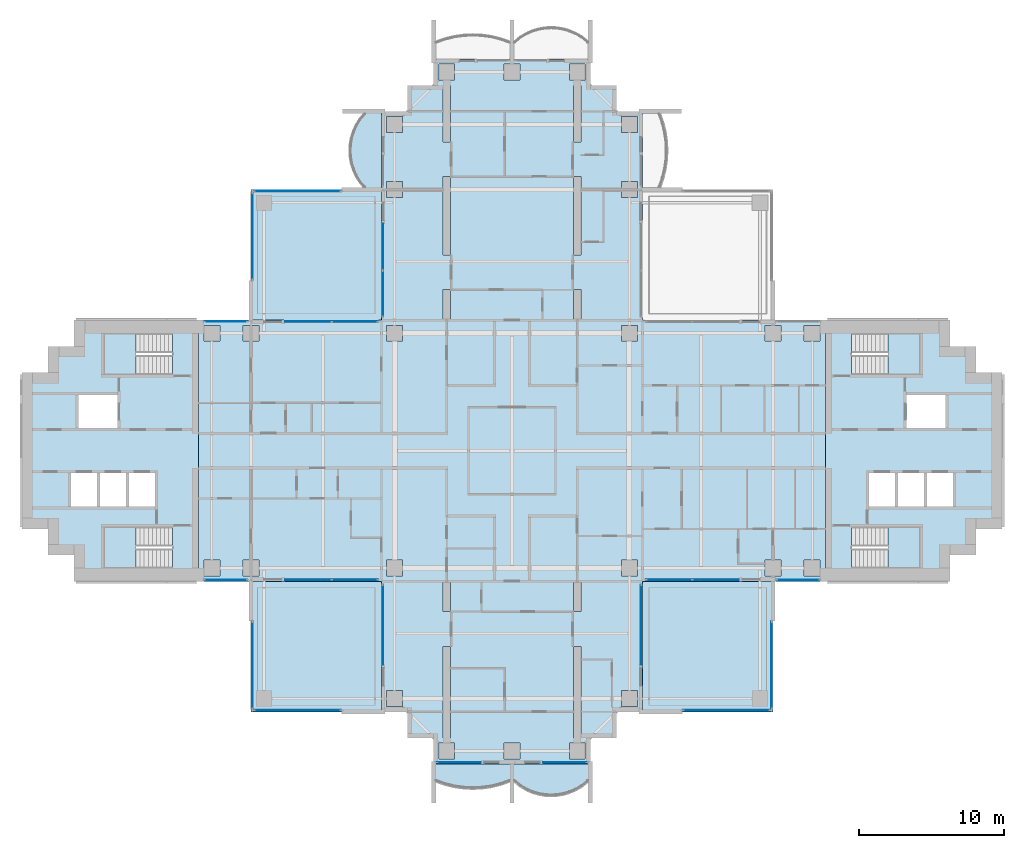
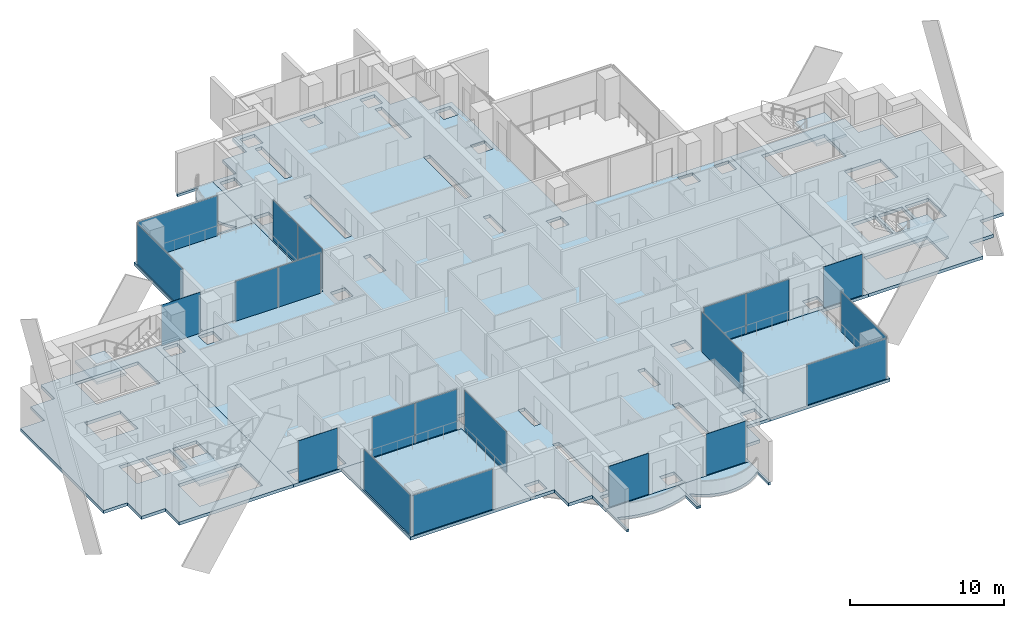
# One storey, part 7 of 19: 21 plates, 13 slabs, 21 elements without a shape of their own.
"""IFC4 building model written with IfcOpenShell, lengths in metres."""

import ifcopenshell
import ifcopenshell.guid

model = None  # the IFC model being written
_history = None  # IfcOwnerHistory: only IFC2X3 demands one
_inside = {}  # id of a spatial element -> (the spatial element, [elements in it])
_under = {}  # id of a project, library or spatial element -> (it, [spatial elements below it])
_declared = {}  # id of a project -> (the project, [libraries it declares])
_typed = {}  # id of a type object -> (the type object, [elements of that type])
_made_of = {}  # id of a material, layer set ... -> (it, [elements and type objects made of it])


def new_model(schema):
    """Start an empty IFC model of exactly this schema.

    Asked for "IFC4X3", IfcOpenShell would pick the latest addendum, in which some entities
    have other attributes; the version numbers below select the first issue.
    IFC2X3 requires an IfcOwnerHistory on every rooted entity: one is made here for all.
    """
    global model, _history
    if schema == "IFC4X3":
        model = ifcopenshell.file(schema_version=(4, 3, 0, 0))
    else:
        model = ifcopenshell.file(schema=schema)
    _inside.clear()
    _under.clear()
    _declared.clear()
    _typed.clear()
    _made_of.clear()
    _history = None
    if model.schema == "IFC2X3":
        org = make("IfcOrganization", Name="unknown")
        user = make(
            "IfcPersonAndOrganization",
            ThePerson=make("IfcPerson", FamilyName="unknown"),
            TheOrganization=org,
        )
        app = make(
            "IfcApplication",
            ApplicationDeveloper=org,
            Version="unknown",
            ApplicationFullName="unknown",
            ApplicationIdentifier="unknown",
        )
        _history = make(
            "IfcOwnerHistory",
            OwningUser=user,
            OwningApplication=app,
            ChangeAction="ADDED",
            CreationDate=0,
        )
    return model


def make(cls, **values):
    """One entity of the class cls with the attributes given. An attribute that is None is left unset."""
    return model.create_entity(
        cls, **{name: value for name, value in values.items() if value is not None}
    )


def rooted(cls, **values):
    """An entity with a GlobalId (a new one), such as an element, a storey or a relation."""
    return make(cls, GlobalId=ifcopenshell.guid.new(), OwnerHistory=_history, **values)


def si_unit(unit_type, name, prefix=None):
    """IfcSIUnit, for example si_unit("LENGTHUNIT", "METRE", prefix="MILLI")."""
    return make("IfcSIUnit", UnitType=unit_type, Prefix=prefix, Name=name)


def assignment(units):
    """IfcUnitAssignment: the units of a project."""
    return None if units is None else make("IfcUnitAssignment", Units=units)


def point(xyz):
    """IfcCartesianPoint."""
    return None if xyz is None else make("IfcCartesianPoint", Coordinates=xyz)


def direction(xyz):
    """IfcDirection."""
    return None if xyz is None else make("IfcDirection", DirectionRatios=xyz)


def frame(location, z_axis=None, x_axis=None):
    """IfcAxis2Placement3D, a coordinate frame: its origin and axes. An axis left out is left unset."""
    return make(
        "IfcAxis2Placement3D",
        Location=point(location),
        Axis=direction(z_axis),
        RefDirection=direction(x_axis),
    )


def frame_2d(location, x_axis=None):
    """IfcAxis2Placement2D, a coordinate frame in the plane: its origin and x axis."""
    return make(
        "IfcAxis2Placement2D", Location=point(location), RefDirection=direction(x_axis)
    )


def origin():
    """The frame at (0, 0, 0) with its axes left unset."""
    return frame((0.0, 0.0, 0.0))


def origin_2d():
    """The frame at (0, 0) in the plane with its x axis left unset."""
    return frame_2d((0.0, 0.0))


def place(relative_to, where):
    """IfcLocalPlacement: puts the frame where relative to a parent placement (None: the world)."""
    return make(
        "IfcLocalPlacement", PlacementRelTo=relative_to, RelativePlacement=where
    )


def context(
    kind, dimensions, precision=None, world=None, true_north=None, identifier=None
):
    """IfcGeometricRepresentationContext, for example the 3D "Model" context."""
    return make(
        "IfcGeometricRepresentationContext",
        ContextIdentifier=identifier,
        ContextType=kind,
        CoordinateSpaceDimension=dimensions,
        Precision=precision,
        WorldCoordinateSystem=world,
        TrueNorth=true_north,
    )


def subcontext(parent, identifier, kind, view, scale=None):
    """IfcGeometricRepresentationSubContext, for example "Body" below "Model"."""
    return make(
        "IfcGeometricRepresentationSubContext",
        ContextIdentifier=identifier,
        ContextType=kind,
        ParentContext=parent,
        TargetScale=scale,
        TargetView=view,
    )


def project(units=None, contexts=None):
    """IfcProject with its units and contexts."""
    return rooted(
        "IfcProject",
        Name="project",
        RepresentationContexts=contexts,
        UnitsInContext=assignment(units),
    )


def spatial(cls, under=None, at=None, **own):
    """A site, building, storey or space (cls), placed at a placement, below another one or the project."""
    s = rooted(cls, ObjectPlacement=at, **own)
    if under is not None:
        _under.setdefault(under.id(), (under, []))[1].append(s)
    return s


def polyline(points):
    """IfcPolyline through the points."""
    return make("IfcPolyline", Points=[point(p) for p in points])


def profile(cls, at=None, kind="AREA", **sizes):
    """A parametric profile (cls). Its sizes go by their IFC names, for example OverallWidth=200.0."""
    return make(cls, ProfileType=kind, Position=at, **sizes)


def rectangle(**sizes):
    """IfcRectangleProfileDef."""
    return profile("IfcRectangleProfileDef", **sizes)


def outline(outer, holes=None, kind="AREA"):
    """IfcArbitraryClosedProfileDef: a profile drawn as a closed curve; with holes, ...WithVoids."""
    if holes is None:
        return make("IfcArbitraryClosedProfileDef", ProfileType=kind, OuterCurve=outer)
    return make(
        "IfcArbitraryProfileDefWithVoids",
        ProfileType=kind,
        OuterCurve=outer,
        InnerCurves=holes,
    )


def extrude(swept, where, along, depth):
    """IfcExtrudedAreaSolid: the profile swept, set in the frame where, extruded along a direction by depth."""
    return make(
        "IfcExtrudedAreaSolid",
        SweptArea=swept,
        Position=where,
        ExtrudedDirection=direction(along),
        Depth=depth,
    )


def shape(context_of_items, identifier, shape_type, items):
    """IfcShapeRepresentation: the items that make up one representation, for example the "Body"."""
    return make(
        "IfcShapeRepresentation",
        ContextOfItems=context_of_items,
        RepresentationIdentifier=identifier,
        RepresentationType=shape_type,
        Items=items,
    )


def material(Name=None, Category=None):
    """IfcMaterial."""
    return make("IfcMaterial", Name=Name, Category=Category)


def layer(
    of_material, thickness, ventilated=None, Name=None, Category=None, Priority=None
):
    """IfcMaterialLayer: one layer of a wall or slab, of a material (None: an air gap)."""
    return make(
        "IfcMaterialLayer",
        Material=of_material,
        LayerThickness=thickness,
        IsVentilated=ventilated,
        Name=Name,
        Category=Category,
        Priority=Priority,
    )


def layer_set(layers, Name=None):
    """IfcMaterialLayerSet."""
    return make("IfcMaterialLayerSet", MaterialLayers=layers, LayerSetName=Name)


def made_of(thing, what):
    """Note that an element or type object is made of a material, layer set ...; save() writes the relation."""
    if what is not None:
        _made_of.setdefault(what.id(), (what, []))[1].append(thing)
    return thing


def type_object(cls, material=None, **own):
    """A type object (cls), such as IfcWallType, which elements share."""
    return made_of(rooted(cls, **own), material)


def element(
    cls,
    number,
    at=None,
    inside=None,
    cuts=None,
    type_object=None,
    material=None,
    context=None,
    identifier="Body",
    shape_type=None,
    held_by="IfcProductDefinitionShape",
    body=None,
    shapes=None,
    **own,
):
    """One element of the class cls, such as IfcWall. Its Tag is "e" and its number.

    at: its placement. inside: the storey or other place that contains it. cuts: it is an
    opening in that element (IfcRelVoidsElement). A single representation is given by context,
    identifier, shape_type and body (its items); several are given by shapes. held_by: the class
    of the entity that holds the representations. save() writes the other relations.
    """
    e = rooted(cls, Tag="e%d" % number, ObjectPlacement=at, **own)
    if body is not None:
        shapes = [shape(context, identifier, shape_type, body)]
    if shapes is not None:
        e.Representation = make(held_by, Representations=shapes)
    if inside is not None:
        _inside.setdefault(inside.id(), (inside, []))[1].append(e)
    if cuts is not None:
        rooted(
            "IfcRelVoidsElement", RelatingBuildingElement=cuts, RelatedOpeningElement=e
        )
    if type_object is not None:
        _typed.setdefault(type_object.id(), (type_object, []))[1].append(e)
    return made_of(e, material)


def aggregate(whole, parts):
    """IfcRelAggregates: a whole, such as a stair, and the parts it consists of."""
    return rooted("IfcRelAggregates", RelatingObject=whole, RelatedObjects=parts)


def save(model, path):
    """Write the relations noted so far, then the file.

    IfcRelAggregates (storeys below a building ...), IfcRelContainedInSpatialStructure (elements
    in a storey), IfcRelDefinesByType, IfcRelAssociatesMaterial and IfcRelDeclares: one each for
    every whole, place, type object, material and project.
    """
    for whole, parts in _under.values():
        aggregate(whole, parts)
    for where, things in _inside.values():
        rooted(
            "IfcRelContainedInSpatialStructure",
            RelatedElements=things,
            RelatingStructure=where,
        )
    for kind, things in _typed.values():
        rooted("IfcRelDefinesByType", RelatedObjects=things, RelatingType=kind)
    for what, things in _made_of.values():
        rooted("IfcRelAssociatesMaterial", RelatedObjects=things, RelatingMaterial=what)
    for by, libraries in _declared.values():
        rooted("IfcRelDeclares", RelatingContext=by, RelatedDefinitions=libraries)
    model.write(path)


model = new_model("IFC4")

# Units and contexts
model_context = context("Model", 3, precision=1e-05, world=origin(), true_north=direction((0.0, 1.0)))
body_context = subcontext(model_context, "Body", "Model", "MODEL_VIEW")
ifc_project = project(units=[si_unit("LENGTHUNIT", "METRE"), si_unit("AREAUNIT", "SQUARE_METRE"), si_unit("VOLUMEUNIT", "CUBIC_METRE"), si_unit("PLANEANGLEUNIT", "RADIAN"), si_unit("MASSUNIT", "GRAM", prefix="KILO")], contexts=[model_context])

# Site, building, storey
site_placement = place(None, origin())
site = spatial("IfcSite", under=ifc_project, at=site_placement, CompositionType="ELEMENT")
building_placement = place(site_placement, origin())
building = spatial("IfcBuilding", under=site, at=building_placement, Name="Perihelion Cross Residences", CompositionType="ELEMENT")
storey_placement = place(building_placement, frame((0.0, 0.0, 116.39990234375)))
storey = spatial("IfcBuildingStorey", under=building, at=storey_placement, Name="L27", CompositionType="ELEMENT", Elevation=116.39990234375)

# Slabs
ifc_material_1 = material(Name="Concrete C40/50", Category="concrete")
ifc_layer_1 = layer(ifc_material_1, 0.199951171875)
ifc_layer_set_1 = layer_set([ifc_layer_1], Name="Balcony slab 200")
slab_type_1 = type_object("IfcSlabType", Name="Balcony slab 200", PredefinedType="FLOOR", material=ifc_layer_set_1)
slab_1_placement = place(storey_placement, frame((0.0, 0.0, -0.199951171875)))
element("IfcSlab", 1, at=slab_1_placement, inside=storey, type_object=slab_type_1, Name="Slab BK1 L27 north side west bay 1 balcony", PredefinedType="FLOOR", context=body_context, shape_type="SweptSolid", body=[
    extrude(outline(polyline([(-9.0, 23.39990234375), (-9.0, 18.0), (-11.699951171875, 18.0), (-11.699951171875, 18.14990234375), (-10.199951171875, 18.14990234375), (-10.5400390625, 18.574951171875), (-10.792724609375, 19.0), (-10.9765625, 19.425048828125), (-11.1025390625, 19.85009765625), (-11.17578125, 20.27490234375), (-11.199951171875, 20.699951171875), (-11.17578125, 21.125), (-11.1025390625, 21.550048828125), (-10.9765625, 21.97509765625), (-10.792724609375, 22.39990234375), (-10.5400390625, 22.824951171875), (-10.199951171875, 23.25), (-11.699951171875, 23.25), (-11.699951171875, 23.39990234375), (-9.0, 23.39990234375)])), origin(), (0.0, 0.0, 1.0), 0.199951171875),
])
slab_2_placement = place(storey_placement, frame((0.0, 0.0, -0.199951171875)))
element("IfcSlab", 2, at=slab_2_placement, inside=storey, type_object=slab_type_1, Name="Slab BK1 L27 south tip south bay 1 balcony", PredefinedType="FLOOR", context=body_context, shape_type="SweptSolid", body=[
    extrude(outline(polyline([(-5.39990234375, -21.60009765625), (0.0, -21.60009765625), (0.0, -24.300048828125), (-0.14990234375, -24.300048828125), (-0.14990234375, -22.800048828125), (-0.78759765625, -23.0234375), (-1.425048828125, -23.178466796875), (-2.0625, -23.269775390625), (-2.699951171875, -23.300048828125), (-3.33740234375, -23.269775390625), (-3.97509765625, -23.178466796875), (-4.612548828125, -23.0234375), (-5.25, -22.800048828125), (-5.25, -24.300048828125), (-5.39990234375, -24.300048828125), (-5.39990234375, -21.60009765625)])), origin(), (0.0, 0.0, 1.0), 0.199951171875),
])
slab_3_placement = place(storey_placement, frame((0.0, 0.0, -0.199951171875)))
element("IfcSlab", 3, at=slab_3_placement, inside=storey, type_object=slab_type_1, Name="Slab BK1 L27 south tip south bay 2 balcony", PredefinedType="FLOOR", context=body_context, shape_type="SweptSolid", body=[
    extrude(outline(polyline([(0.0, -21.60009765625), (5.39990234375, -21.60009765625), (5.39990234375, -24.300048828125), (5.25, -24.300048828125), (5.25, -22.800048828125), (4.824951171875, -23.14013671875), (4.39990234375, -23.392578125), (3.97509765625, -23.57666015625), (3.550048828125, -23.702392578125), (3.125, -23.77587890625), (2.699951171875, -23.800048828125), (2.27490234375, -23.77587890625), (1.85009765625, -23.702392578125), (1.425048828125, -23.57666015625), (1.0, -23.392578125), (0.574951171875, -23.14013671875), (0.14990234375, -22.800048828125), (0.14990234375, -24.300048828125), (0.0, -24.300048828125), (0.0, -21.60009765625)])), origin(), (0.0, 0.0, 1.0), 0.199951171875),
])

# Curtain wall, plates
ifc_material_2 = material(Name="Bronze anodised aluminium, tinted glazing", Category="aluminium")
curtain_wall_type_1 = type_object("IfcCurtainWallType", Name="CW1", PredefinedType="NOTDEFINED", material=ifc_material_2)
curtain_wall_1_placement = place(storey_placement, origin())
curtain_wall_1 = element("IfcCurtainWall", 4, at=curtain_wall_1_placement, inside=storey, type_object=curtain_wall_type_1, Name="Curtain wall CW1 L27 north side west bay 2", PredefinedType="NOTDEFINED")
ifc_material_3 = material(Name="Tinted laminated glass", Category="glass")
ifc_layer_2 = layer(ifc_material_3, 0.028076171875)
ifc_layer_set_2 = layer_set([ifc_layer_2], Name="CW1 panel")
plate_type_1 = type_object("IfcPlateType", Name="CW1 panel", PredefinedType="CURTAIN_PANEL", material=ifc_layer_set_2)
plate_1_placement = place(storey_placement, frame((-8.89990234375, 14.052490234375, 0.000244140625), z_axis=(0.0, 0.0, 1.0), x_axis=(0.0, -1.0, 0.0)))
plate_1 = element("IfcPlate", 5, at=plate_1_placement, type_object=plate_type_1, Name="CW1 panel 1", PredefinedType="CURTAIN_PANEL", context=body_context, shape_type="SweptSolid", body=[
    extrude(rectangle(XDim=3.195068359375, YDim=0.028076171875, at=origin_2d()), origin(), (0.0, 0.0, 1.0), 3.18994140625),
])
plate_2_placement = place(storey_placement, frame((-8.89990234375, 10.827392578125, 0.000244140625), z_axis=(0.0, 0.0, 1.0), x_axis=(0.0, -1.0, 0.0)))
plate_2 = element("IfcPlate", 6, at=plate_2_placement, type_object=plate_type_1, Name="CW1 panel 2", PredefinedType="CURTAIN_PANEL", context=body_context, shape_type="SweptSolid", body=[
    extrude(rectangle(XDim=3.135009765625, YDim=0.028076171875, at=origin_2d()), origin(), (0.0, 0.0, 1.0), 3.18994140625),
])
aggregate(curtain_wall_1, [plate_1, plate_2])

curtain_wall_2_placement = place(storey_placement, origin())
curtain_wall_2 = element("IfcCurtainWall", 7, at=curtain_wall_2_placement, inside=storey, type_object=curtain_wall_type_1, Name="Curtain wall CW1 L27 west side north bay 1", PredefinedType="NOTDEFINED")
plate_3_placement = place(storey_placement, frame((-10.827392578125, 8.89990234375, 0.000244140625), z_axis=(0.0, 0.0, 1.0), x_axis=(-1.0, 0.0, 0.0)))
plate_3 = element("IfcPlate", 8, at=plate_3_placement, type_object=plate_type_1, Name="CW1 panel 1", PredefinedType="CURTAIN_PANEL", context=body_context, shape_type="SweptSolid", body=[
    extrude(rectangle(XDim=3.135009765625, YDim=0.028076171875, at=origin_2d()), origin(), (0.0, 0.0, 1.0), 3.18994140625),
])
plate_4_placement = place(storey_placement, frame((-14.052490234375, 8.89990234375, 0.000244140625), z_axis=(0.0, 0.0, 1.0), x_axis=(-1.0, 0.0, 0.0)))
plate_4 = element("IfcPlate", 9, at=plate_4_placement, type_object=plate_type_1, Name="CW1 panel 2", PredefinedType="CURTAIN_PANEL", context=body_context, shape_type="SweptSolid", body=[
    extrude(rectangle(XDim=3.195068359375, YDim=0.028076171875, at=origin_2d()), origin(), (0.0, 0.0, 1.0), 3.18994140625),
])
aggregate(curtain_wall_2, [plate_3, plate_4])

# Curtain wall, plate
curtain_wall_3_placement = place(storey_placement, origin())
curtain_wall_3 = element("IfcCurtainWall", 10, at=curtain_wall_3_placement, inside=storey, type_object=curtain_wall_type_1, Name="Curtain wall CW1 L27 west side north bay 2", PredefinedType="NOTDEFINED")
plate_5_placement = place(storey_placement, frame((-19.72509765625, 8.89990234375, 0.0), z_axis=(0.0, 0.0, 1.0), x_axis=(-1.0, 0.0, 0.0)))
plate_5 = element("IfcPlate", 11, at=plate_5_placement, type_object=plate_type_1, Name="CW1 panel 1", PredefinedType="CURTAIN_PANEL", context=body_context, shape_type="SweptSolid", body=[
    extrude(rectangle(XDim=2.929931640625, YDim=0.028076171875, at=origin_2d()), origin(), (0.0, 0.0, 1.0), 3.25),
])
aggregate(curtain_wall_3, [plate_5])

curtain_wall_4_placement = place(storey_placement, origin())
curtain_wall_4 = element("IfcCurtainWall", 12, at=curtain_wall_4_placement, inside=storey, type_object=curtain_wall_type_1, Name="Curtain wall CW1 L27 west side south bay 1", PredefinedType="NOTDEFINED")
plate_6_placement = place(storey_placement, frame((-19.72509765625, -8.89990234375, 0.0), z_axis=(0.0, 0.0, 1.0), x_axis=(1.0, 0.0, 0.0)))
plate_6 = element("IfcPlate", 13, at=plate_6_placement, type_object=plate_type_1, Name="CW1 panel 1", PredefinedType="CURTAIN_PANEL", context=body_context, shape_type="SweptSolid", body=[
    extrude(rectangle(XDim=2.929931640625, YDim=0.028076171875, at=origin_2d()), origin(), (0.0, 0.0, 1.0), 3.25),
])
aggregate(curtain_wall_4, [plate_6])

# Curtain wall, plates
curtain_wall_5_placement = place(storey_placement, origin())
curtain_wall_5 = element("IfcCurtainWall", 14, at=curtain_wall_5_placement, inside=storey, type_object=curtain_wall_type_1, Name="Curtain wall CW1 L27 west side south bay 2", PredefinedType="NOTDEFINED")
plate_7_placement = place(storey_placement, frame((-14.052490234375, -8.89990234375, 0.000244140625), z_axis=(0.0, 0.0, 1.0), x_axis=(1.0, 0.0, 0.0)))
plate_7 = element("IfcPlate", 15, at=plate_7_placement, type_object=plate_type_1, Name="CW1 panel 1", PredefinedType="CURTAIN_PANEL", context=body_context, shape_type="SweptSolid", body=[
    extrude(rectangle(XDim=3.195068359375, YDim=0.028076171875, at=origin_2d()), origin(), (0.0, 0.0, 1.0), 3.18994140625),
])
plate_8_placement = place(storey_placement, frame((-10.827392578125, -8.89990234375, 0.000244140625), z_axis=(0.0, 0.0, 1.0), x_axis=(1.0, 0.0, 0.0)))
plate_8 = element("IfcPlate", 16, at=plate_8_placement, type_object=plate_type_1, Name="CW1 panel 2", PredefinedType="CURTAIN_PANEL", context=body_context, shape_type="SweptSolid", body=[
    extrude(rectangle(XDim=3.135009765625, YDim=0.028076171875, at=origin_2d()), origin(), (0.0, 0.0, 1.0), 3.18994140625),
])
aggregate(curtain_wall_5, [plate_7, plate_8])

# Curtain wall, plate
curtain_wall_6_placement = place(storey_placement, origin())
curtain_wall_6 = element("IfcCurtainWall", 17, at=curtain_wall_6_placement, inside=storey, type_object=curtain_wall_type_1, Name="Curtain wall CW1 L27 south side west bay 1", PredefinedType="NOTDEFINED")
plate_9_placement = place(storey_placement, frame((-8.89990234375, -12.0048828125, 0.000244140625), z_axis=(0.0, 0.0, 1.0), x_axis=(0.0, -1.0, 0.0)))
plate_9 = element("IfcPlate", 18, at=plate_9_placement, type_object=plate_type_1, Name="CW1 panel 1", PredefinedType="CURTAIN_PANEL", context=body_context, shape_type="SweptSolid", body=[
    extrude(rectangle(XDim=5.489990234375, YDim=0.028076171875, at=origin_2d()), origin(), (0.0, 0.0, 1.0), 3.18994140625),
])
aggregate(curtain_wall_6, [plate_9])

curtain_wall_7_placement = place(storey_placement, origin())
curtain_wall_7 = element("IfcCurtainWall", 19, at=curtain_wall_7_placement, inside=storey, type_object=curtain_wall_type_1, Name="Curtain wall CW1 L27 south tip south bay 1", PredefinedType="NOTDEFINED")
plate_10_placement = place(storey_placement, frame((-3.64501953125, -21.5, 0.0), z_axis=(0.0, 0.0, 1.0), x_axis=(1.0, 0.0, 0.0)))
plate_10 = element("IfcPlate", 20, at=plate_10_placement, type_object=plate_type_1, Name="CW1 panel 1", PredefinedType="CURTAIN_PANEL", context=body_context, shape_type="SweptSolid", body=[
    extrude(rectangle(XDim=2.989990234375, YDim=0.028076171875, at=origin_2d()), origin(), (0.0, 0.0, 1.0), 3.25),
])
aggregate(curtain_wall_7, [plate_10])

curtain_wall_8_placement = place(storey_placement, origin())
curtain_wall_8 = element("IfcCurtainWall", 21, at=curtain_wall_8_placement, inside=storey, type_object=curtain_wall_type_1, Name="Curtain wall CW1 L27 south tip south bay 2", PredefinedType="NOTDEFINED")
plate_11_placement = place(storey_placement, frame((3.64501953125, -21.5, 0.0), z_axis=(0.0, 0.0, 1.0), x_axis=(1.0, 0.0, 0.0)))
plate_11 = element("IfcPlate", 22, at=plate_11_placement, type_object=plate_type_1, Name="CW1 panel 1", PredefinedType="CURTAIN_PANEL", context=body_context, shape_type="SweptSolid", body=[
    extrude(rectangle(XDim=2.989990234375, YDim=0.028076171875, at=origin_2d()), origin(), (0.0, 0.0, 1.0), 3.25),
])
aggregate(curtain_wall_8, [plate_11])

curtain_wall_9_placement = place(storey_placement, origin())
curtain_wall_9 = element("IfcCurtainWall", 23, at=curtain_wall_9_placement, inside=storey, type_object=curtain_wall_type_1, Name="Curtain wall CW1 L27 south side east bay 1", PredefinedType="NOTDEFINED")
plate_12_placement = place(storey_placement, frame((8.89990234375, -12.0048828125, 0.000244140625), z_axis=(0.0, 0.0, 1.0), x_axis=(0.0, 1.0, 0.0)))
plate_12 = element("IfcPlate", 24, at=plate_12_placement, type_object=plate_type_1, Name="CW1 panel 1", PredefinedType="CURTAIN_PANEL", context=body_context, shape_type="SweptSolid", body=[
    extrude(rectangle(XDim=5.489990234375, YDim=0.028076171875, at=origin_2d()), origin(), (0.0, 0.0, 1.0), 3.18994140625),
])
aggregate(curtain_wall_9, [plate_12])

# Curtain wall, plates
curtain_wall_10_placement = place(storey_placement, origin())
curtain_wall_10 = element("IfcCurtainWall", 25, at=curtain_wall_10_placement, inside=storey, type_object=curtain_wall_type_1, Name="Curtain wall CW1 L27 east side south bay 1", PredefinedType="NOTDEFINED")
plate_13_placement = place(storey_placement, frame((10.827392578125, -8.89990234375, 0.000244140625), z_axis=(0.0, 0.0, 1.0), x_axis=(1.0, 0.0, 0.0)))
plate_13 = element("IfcPlate", 26, at=plate_13_placement, type_object=plate_type_1, Name="CW1 panel 1", PredefinedType="CURTAIN_PANEL", context=body_context, shape_type="SweptSolid", body=[
    extrude(rectangle(XDim=3.135009765625, YDim=0.028076171875, at=origin_2d()), origin(), (0.0, 0.0, 1.0), 3.18994140625),
])
plate_14_placement = place(storey_placement, frame((14.052490234375, -8.89990234375, 0.000244140625), z_axis=(0.0, 0.0, 1.0), x_axis=(1.0, 0.0, 0.0)))
plate_14 = element("IfcPlate", 27, at=plate_14_placement, type_object=plate_type_1, Name="CW1 panel 2", PredefinedType="CURTAIN_PANEL", context=body_context, shape_type="SweptSolid", body=[
    extrude(rectangle(XDim=3.195068359375, YDim=0.028076171875, at=origin_2d()), origin(), (0.0, 0.0, 1.0), 3.18994140625),
])
aggregate(curtain_wall_10, [plate_13, plate_14])

# Curtain wall, plate
curtain_wall_11_placement = place(storey_placement, origin())
curtain_wall_11 = element("IfcCurtainWall", 28, at=curtain_wall_11_placement, inside=storey, type_object=curtain_wall_type_1, Name="Curtain wall CW1 L27 east side south bay 2", PredefinedType="NOTDEFINED")
plate_15_placement = place(storey_placement, frame((19.72509765625, -8.89990234375, 0.0), z_axis=(0.0, 0.0, 1.0), x_axis=(1.0, 0.0, 0.0)))
plate_15 = element("IfcPlate", 29, at=plate_15_placement, type_object=plate_type_1, Name="CW1 panel 1", PredefinedType="CURTAIN_PANEL", context=body_context, shape_type="SweptSolid", body=[
    extrude(rectangle(XDim=2.929931640625, YDim=0.028076171875, at=origin_2d()), origin(), (0.0, 0.0, 1.0), 3.25),
])
aggregate(curtain_wall_11, [plate_15])

ifc_material_4 = material(Name="Bronze anodised aluminium, tinted glazing", Category="aluminium")
curtain_wall_type_2 = type_object("IfcCurtainWallType", Name="CW4", PredefinedType="NOTDEFINED", material=ifc_material_4)
curtain_wall_12_placement = place(storey_placement, origin())
curtain_wall_12 = element("IfcCurtainWall", 30, at=curtain_wall_12_placement, inside=storey, type_object=curtain_wall_type_2, Name="Curtain wall CW4 L27 pocket north-west 1 1", PredefinedType="NOTDEFINED")
ifc_material_5 = material(Name="Tinted laminated glass", Category="glass")
ifc_layer_3 = layer(ifc_material_5, 0.030029296875)
ifc_layer_set_3 = layer_set([ifc_layer_3], Name="CW4 panel")
plate_type_2 = type_object("IfcPlateType", Name="CW4 panel", PredefinedType="CURTAIN_PANEL", material=ifc_layer_set_3)
plate_16_placement = place(storey_placement, frame((-17.89990234375, 14.784912109375, 0.000244140625), z_axis=(0.0, 0.0, 1.0), x_axis=(0.0, 1.0, 0.0)))
plate_16 = element("IfcPlate", 31, at=plate_16_placement, type_object=plate_type_2, Name="CW4 panel 1", PredefinedType="CURTAIN_PANEL", context=body_context, shape_type="SweptSolid", body=[
    extrude(rectangle(XDim=5.969970703125, YDim=0.030029296875, at=origin_2d()), origin(), (0.0, 0.0, 1.0), 3.18994140625),
])
aggregate(curtain_wall_12, [plate_16])

curtain_wall_13_placement = place(storey_placement, origin())
curtain_wall_13 = element("IfcCurtainWall", 32, at=curtain_wall_13_placement, inside=storey, type_object=curtain_wall_type_2, Name="Curtain wall CW4 L27 pocket north-west 1 2", PredefinedType="NOTDEFINED")
plate_17_placement = place(storey_placement, frame((-14.784912109375, 17.89990234375, 0.000244140625), z_axis=(0.0, 0.0, 1.0), x_axis=(1.0, 0.0, 0.0)))
plate_17 = element("IfcPlate", 33, at=plate_17_placement, type_object=plate_type_2, Name="CW4 panel 1", PredefinedType="CURTAIN_PANEL", context=body_context, shape_type="SweptSolid", body=[
    extrude(rectangle(XDim=5.969970703125, YDim=0.030029296875, at=origin_2d()), origin(), (0.0, 0.0, 1.0), 3.18994140625),
])
aggregate(curtain_wall_13, [plate_17])

curtain_wall_14_placement = place(storey_placement, origin())
curtain_wall_14 = element("IfcCurtainWall", 34, at=curtain_wall_14_placement, inside=storey, type_object=curtain_wall_type_2, Name="Curtain wall CW4 L27 pocket south-east 1 1", PredefinedType="NOTDEFINED")
plate_18_placement = place(storey_placement, frame((17.89990234375, -14.784912109375, 0.000244140625), z_axis=(0.0, 0.0, 1.0), x_axis=(0.0, -1.0, 0.0)))
plate_18 = element("IfcPlate", 35, at=plate_18_placement, type_object=plate_type_2, Name="CW4 panel 1", PredefinedType="CURTAIN_PANEL", context=body_context, shape_type="SweptSolid", body=[
    extrude(rectangle(XDim=5.969970703125, YDim=0.030029296875, at=origin_2d()), origin(), (0.0, 0.0, 1.0), 3.18994140625),
])
aggregate(curtain_wall_14, [plate_18])

curtain_wall_15_placement = place(storey_placement, origin())
curtain_wall_15 = element("IfcCurtainWall", 36, at=curtain_wall_15_placement, inside=storey, type_object=curtain_wall_type_2, Name="Curtain wall CW4 L27 pocket south-east 1 2", PredefinedType="NOTDEFINED")
plate_19_placement = place(storey_placement, frame((14.784912109375, -17.89990234375, 0.000244140625), z_axis=(0.0, 0.0, 1.0), x_axis=(-1.0, 0.0, 0.0)))
plate_19 = element("IfcPlate", 37, at=plate_19_placement, type_object=plate_type_2, Name="CW4 panel 1", PredefinedType="CURTAIN_PANEL", context=body_context, shape_type="SweptSolid", body=[
    extrude(rectangle(XDim=5.969970703125, YDim=0.030029296875, at=origin_2d()), origin(), (0.0, 0.0, 1.0), 3.18994140625),
])
aggregate(curtain_wall_15, [plate_19])

curtain_wall_16_placement = place(storey_placement, origin())
curtain_wall_16 = element("IfcCurtainWall", 38, at=curtain_wall_16_placement, inside=storey, type_object=curtain_wall_type_2, Name="Curtain wall CW4 L27 pocket south-west 1 1", PredefinedType="NOTDEFINED")
plate_20_placement = place(storey_placement, frame((-14.784912109375, -17.89990234375, 0.000244140625), z_axis=(0.0, 0.0, 1.0), x_axis=(-1.0, 0.0, 0.0)))
plate_20 = element("IfcPlate", 39, at=plate_20_placement, type_object=plate_type_2, Name="CW4 panel 1", PredefinedType="CURTAIN_PANEL", context=body_context, shape_type="SweptSolid", body=[
    extrude(rectangle(XDim=5.969970703125, YDim=0.030029296875, at=origin_2d()), origin(), (0.0, 0.0, 1.0), 3.18994140625),
])
aggregate(curtain_wall_16, [plate_20])

curtain_wall_17_placement = place(storey_placement, origin())
curtain_wall_17 = element("IfcCurtainWall", 40, at=curtain_wall_17_placement, inside=storey, type_object=curtain_wall_type_2, Name="Curtain wall CW4 L27 pocket south-west 1 2", PredefinedType="NOTDEFINED")
plate_21_placement = place(storey_placement, frame((-17.89990234375, -14.784912109375, 0.000244140625), z_axis=(0.0, 0.0, 1.0), x_axis=(0.0, 1.0, 0.0)))
plate_21 = element("IfcPlate", 41, at=plate_21_placement, type_object=plate_type_2, Name="CW4 panel 1", PredefinedType="CURTAIN_PANEL", context=body_context, shape_type="SweptSolid", body=[
    extrude(rectangle(XDim=5.969970703125, YDim=0.030029296875, at=origin_2d()), origin(), (0.0, 0.0, 1.0), 3.18994140625),
])
aggregate(curtain_wall_17, [plate_21])

# Slabs
ifc_material_6 = material(Name="Concrete C40/50", Category="concrete")
ifc_layer_4 = layer(ifc_material_6, 0.25)
ifc_layer_set_4 = layer_set([ifc_layer_4], Name="Core floor slab 250")
slab_type_2 = type_object("IfcSlabType", Name="Core floor slab 250", PredefinedType="FLOOR", material=ifc_layer_set_4)
slab_4_placement = place(storey_placement, frame((0.0, 0.0, -0.25)))
element("IfcSlab", 42, at=slab_4_placement, inside=storey, type_object=slab_type_2, Name="East core floor slab", PredefinedType="FLOOR", context=body_context, shape_type="SweptSolid", body=[
    extrude(outline(polyline([(30.199951171875, 7.199951171875), (32.0, 7.199951171875), (32.0, 5.39990234375), (33.800048828125, 5.39990234375), (33.800048828125, -5.39990234375), (32.0, -5.39990234375), (32.0, -7.199951171875), (30.199951171875, -7.199951171875), (30.199951171875, -9.0), (21.60009765625, -9.0), (21.60009765625, 9.0), (30.199951171875, 9.0), (30.199951171875, 7.199951171875)]), holes=[polyline([(28.14990234375, -8.10009765625), (28.14990234375, -5.25), (23.405029296875, -5.25), (23.405029296875, -8.10009765625), (28.14990234375, -8.10009765625)]), polyline([(24.60009765625, -1.550048828125), (24.60009765625, -3.85009765625), (26.39990234375, -3.85009765625), (26.39990234375, -1.550048828125), (24.60009765625, -1.550048828125)]), polyline([(26.60009765625, -1.550048828125), (26.60009765625, -3.85009765625), (28.39990234375, -3.85009765625), (28.39990234375, -1.550048828125), (26.60009765625, -1.550048828125)]), polyline([(28.60009765625, -3.85009765625), (30.39990234375, -3.85009765625), (30.39990234375, -1.550048828125), (28.60009765625, -1.550048828125), (28.60009765625, -3.85009765625)]), polyline([(27.199951171875, 3.85009765625), (27.199951171875, 1.550048828125), (29.89990234375, 1.550048828125), (29.89990234375, 3.85009765625), (27.199951171875, 3.85009765625)]), polyline([(23.405029296875, 5.25), (28.14990234375, 5.25), (28.14990234375, 8.10009765625), (23.405029296875, 8.10009765625), (23.405029296875, 5.25)])]), origin(), (0.0, 0.0, 1.0), 0.25),
])
slab_5_placement = place(storey_placement, frame((0.0, 0.0, -0.25)))
element("IfcSlab", 43, at=slab_5_placement, inside=storey, type_object=slab_type_2, Name="West core floor slab", PredefinedType="FLOOR", context=body_context, shape_type="SweptSolid", body=[
    extrude(outline(polyline([(-30.199951171875, 7.199951171875), (-32.0, 7.199951171875), (-32.0, 5.39990234375), (-33.800048828125, 5.39990234375), (-33.800048828125, -5.39990234375), (-32.0, -5.39990234375), (-32.0, -7.199951171875), (-30.199951171875, -7.199951171875), (-30.199951171875, -9.0), (-21.60009765625, -9.0), (-21.60009765625, 9.0), (-30.199951171875, 9.0), (-30.199951171875, 7.199951171875)]), holes=[polyline([(-28.14990234375, -8.10009765625), (-28.14990234375, -5.25), (-23.405029296875, -5.25), (-23.405029296875, -8.10009765625), (-28.14990234375, -8.10009765625)]), polyline([(-24.60009765625, -1.550048828125), (-24.60009765625, -3.85009765625), (-26.39990234375, -3.85009765625), (-26.39990234375, -1.550048828125), (-24.60009765625, -1.550048828125)]), polyline([(-26.60009765625, -1.550048828125), (-26.60009765625, -3.85009765625), (-28.39990234375, -3.85009765625), (-28.39990234375, -1.550048828125), (-26.60009765625, -1.550048828125)]), polyline([(-28.60009765625, -3.85009765625), (-30.39990234375, -3.85009765625), (-30.39990234375, -1.550048828125), (-28.60009765625, -1.550048828125), (-28.60009765625, -3.85009765625)]), polyline([(-27.199951171875, 3.85009765625), (-27.199951171875, 1.550048828125), (-29.89990234375, 1.550048828125), (-29.89990234375, 3.85009765625), (-27.199951171875, 3.85009765625)]), polyline([(-23.405029296875, 5.25), (-28.14990234375, 5.25), (-28.14990234375, 8.10009765625), (-23.405029296875, 8.10009765625), (-23.405029296875, 5.25)])]), origin(), (0.0, 0.0, 1.0), 0.25),
])

# Stair, slab
ifc_material_7 = material(Name="Concrete C40/50", Category="concrete")
stair_type = type_object("IfcStairType", Name="Exit stair, half-turn", PredefinedType="HALF_TURN_STAIR", material=ifc_material_7)
stair_1_placement = place(storey_placement, origin())
stair_1 = element("IfcStair", 44, at=stair_1_placement, inside=storey, type_object=stair_type, Name="L27 East core exit stair 1", PredefinedType="HALF_TURN_STAIR")
ifc_material_8 = material(Name="Concrete C40/50", Category="concrete")
ifc_layer_5 = layer(ifc_material_8, 0.199951171875)
ifc_layer_set_5 = layer_set([ifc_layer_5], Name="Exit stair landing 200")
slab_type_3 = type_object("IfcSlabType", Name="Exit stair landing 200", PredefinedType="LANDING", material=ifc_layer_set_5)
slab_6_placement = place(storey_placement, frame((0.0, 0.0, 1.550048828125)))
slab_6 = element("IfcSlab", 45, at=slab_6_placement, type_object=slab_type_3, Name="ST-E1 landing 1", PredefinedType="LANDING", context=body_context, shape_type="SweptSolid", body=[
    extrude(outline(polyline([(25.919921875, 5.25), (28.14990234375, 5.25), (28.14990234375, 8.10009765625), (25.919921875, 8.10009765625), (25.919921875, 5.25)])), origin(), (0.0, 0.0, 1.0), 0.199951171875),
])
aggregate(stair_1, [slab_6])

stair_2_placement = place(storey_placement, origin())
stair_2 = element("IfcStair", 46, at=stair_2_placement, inside=storey, type_object=stair_type, Name="L27 East core exit stair 2", PredefinedType="HALF_TURN_STAIR")
slab_7_placement = place(storey_placement, frame((0.0, 0.0, 1.550048828125)))
slab_7 = element("IfcSlab", 47, at=slab_7_placement, type_object=slab_type_3, Name="ST-E2 landing 1", PredefinedType="LANDING", context=body_context, shape_type="SweptSolid", body=[
    extrude(outline(polyline([(25.919921875, -8.10009765625), (28.14990234375, -8.10009765625), (28.14990234375, -5.25), (25.919921875, -5.25), (25.919921875, -8.10009765625)])), origin(), (0.0, 0.0, 1.0), 0.199951171875),
])
aggregate(stair_2, [slab_7])

stair_3_placement = place(storey_placement, origin())
stair_3 = element("IfcStair", 48, at=stair_3_placement, inside=storey, type_object=stair_type, Name="L27 West core exit stair 1", PredefinedType="HALF_TURN_STAIR")
slab_8_placement = place(storey_placement, frame((0.0, 0.0, 1.550048828125)))
slab_8 = element("IfcSlab", 49, at=slab_8_placement, type_object=slab_type_3, Name="ST-W1 landing 1", PredefinedType="LANDING", context=body_context, shape_type="SweptSolid", body=[
    extrude(outline(polyline([(-25.919921875, 8.10009765625), (-28.14990234375, 8.10009765625), (-28.14990234375, 5.25), (-25.919921875, 5.25), (-25.919921875, 8.10009765625)])), origin(), (0.0, 0.0, 1.0), 0.199951171875),
])
aggregate(stair_3, [slab_8])

stair_4_placement = place(storey_placement, origin())
stair_4 = element("IfcStair", 50, at=stair_4_placement, inside=storey, type_object=stair_type, Name="L27 West core exit stair 2", PredefinedType="HALF_TURN_STAIR")
slab_9_placement = place(storey_placement, frame((0.0, 0.0, 1.550048828125)))
slab_9 = element("IfcSlab", 51, at=slab_9_placement, type_object=slab_type_3, Name="ST-W2 landing 1", PredefinedType="LANDING", context=body_context, shape_type="SweptSolid", body=[
    extrude(outline(polyline([(-25.919921875, -5.25), (-28.14990234375, -5.25), (-28.14990234375, -8.10009765625), (-25.919921875, -8.10009765625), (-25.919921875, -5.25)])), origin(), (0.0, 0.0, 1.0), 0.199951171875),
])
aggregate(stair_4, [slab_9])

# Slabs
ifc_material_9 = material(Name="Concrete C50/60", Category="concrete")
ifc_layer_6 = layer(ifc_material_9, 0.25)
ifc_layer_set_6 = layer_set([ifc_layer_6], Name="Residential floor post-tensioned slab concrete C50/60")
slab_type_4 = type_object("IfcSlabType", Name="Residential floor post-tensioned slab concrete C50/60", PredefinedType="FLOOR", material=ifc_layer_set_6)
slab_10_placement = place(storey_placement, frame((0.0, 0.0, -0.25)))
element("IfcSlab", 52, at=slab_10_placement, inside=storey, type_object=slab_type_4, Name="Slab SL8 L27 1 no. 1", PredefinedType="FLOOR", context=body_context, shape_type="SweptSolid", body=[
    extrude(outline(polyline([(-9.0, 9.0), (-9.0, 23.39990234375), (-7.199951171875, 23.39990234375), (-7.199951171875, 25.199951171875), (-5.39990234375, 25.199951171875), (-5.39990234375, 27.0), (5.39990234375, 27.0), (5.39990234375, 25.199951171875), (7.199951171875, 25.199951171875), (7.199951171875, 23.39990234375), (9.0, 23.39990234375), (9.0, 9.0), (21.60009765625, 9.0), (21.60009765625, -9.0), (9.0, -9.0), (9.0, -18.0), (7.199951171875, -18.0), (7.199951171875, -19.800048828125), (5.39990234375, -19.800048828125), (5.39990234375, -21.60009765625), (-5.39990234375, -21.60009765625), (-5.39990234375, -19.800048828125), (-7.199951171875, -19.800048828125), (-7.199951171875, -18.0), (-9.0, -18.0), (-9.0, -9.0), (-21.60009765625, -9.0), (-21.60009765625, 9.0), (-9.0, 9.0)]), holes=[polyline([(0.550048828125, -21.25), (0.550048828125, -20.14990234375), (-0.550048828125, -20.14990234375), (-0.550048828125, -21.25), (0.550048828125, -21.25)]), polyline([(-3.949951171875, -21.25), (-3.949951171875, -20.14990234375), (-5.050048828125, -20.14990234375), (-5.050048828125, -21.25), (-3.949951171875, -21.25)]), polyline([(-7.550048828125, -17.64990234375), (-7.550048828125, -16.550048828125), (-8.64990234375, -16.550048828125), (-8.64990234375, -17.64990234375), (-7.550048828125, -17.64990234375)]), polyline([(-4.25, -19.800048828125), (-4.25, -13.5), (-4.75, -13.5), (-4.75, -19.800048828125), (-4.25, -19.800048828125)]), polyline([(-4.25, -11.10009765625), (-4.25, -9.0), (-4.75, -9.0), (-4.75, -11.10009765625), (-4.25, -11.10009765625)]), polyline([(-20.14990234375, -8.64990234375), (-20.14990234375, -7.550048828125), (-21.25, -7.550048828125), (-21.25, -8.64990234375), (-20.14990234375, -8.64990234375)]), polyline([(-7.550048828125, -8.64990234375), (-7.550048828125, -7.550048828125), (-8.64990234375, -7.550048828125), (-8.64990234375, -8.64990234375), (-7.550048828125, -8.64990234375)]), polyline([(-18.550048828125, -8.64990234375), (-17.449951171875, -8.64990234375), (-17.449951171875, -7.550048828125), (-18.550048828125, -7.550048828125), (-18.550048828125, -8.64990234375)]), polyline([(-7.550048828125, 7.550048828125), (-7.550048828125, 8.64990234375), (-8.64990234375, 8.64990234375), (-8.64990234375, 7.550048828125), (-7.550048828125, 7.550048828125)]), polyline([(-17.449951171875, 7.550048828125), (-17.449951171875, 8.64990234375), (-18.550048828125, 8.64990234375), (-18.550048828125, 7.550048828125), (-17.449951171875, 7.550048828125)]), polyline([(-20.14990234375, 7.550048828125), (-20.14990234375, 8.64990234375), (-21.25, 8.64990234375), (-21.25, 7.550048828125), (-20.14990234375, 7.550048828125)]), polyline([(-4.25, 9.0), (-4.25, 11.10009765625), (-4.75, 11.10009765625), (-4.75, 9.0), (-4.25, 9.0)]), polyline([(-4.25, 13.5), (-4.25, 18.89990234375), (-4.75, 18.89990234375), (-4.75, 13.5), (-4.25, 13.5)]), polyline([(-7.550048828125, 17.449951171875), (-7.550048828125, 18.550048828125), (-8.64990234375, 18.550048828125), (-8.64990234375, 17.449951171875), (-7.550048828125, 17.449951171875)]), polyline([(-7.550048828125, 21.949951171875), (-7.550048828125, 23.050048828125), (-8.64990234375, 23.050048828125), (-8.64990234375, 21.949951171875), (-7.550048828125, 21.949951171875)]), polyline([(-4.75, 21.300048828125), (-4.25, 21.300048828125), (-4.25, 25.199951171875), (-4.75, 25.199951171875), (-4.75, 21.300048828125)]), polyline([(-5.050048828125, 25.550048828125), (-3.949951171875, 25.550048828125), (-3.949951171875, 26.64990234375), (-5.050048828125, 26.64990234375), (-5.050048828125, 25.550048828125)]), polyline([(5.050048828125, -21.25), (5.050048828125, -20.14990234375), (3.949951171875, -20.14990234375), (3.949951171875, -21.25), (5.050048828125, -21.25)]), polyline([(8.64990234375, -17.64990234375), (8.64990234375, -16.550048828125), (7.550048828125, -16.550048828125), (7.550048828125, -17.64990234375), (8.64990234375, -17.64990234375)]), polyline([(4.75, -19.800048828125), (4.75, -13.5), (4.25, -13.5), (4.25, -19.800048828125), (4.75, -19.800048828125)]), polyline([(4.75, -11.10009765625), (4.75, -9.0), (4.25, -9.0), (4.25, -11.10009765625), (4.75, -11.10009765625)]), polyline([(21.25, -8.64990234375), (21.25, -7.550048828125), (20.14990234375, -7.550048828125), (20.14990234375, -8.64990234375), (21.25, -8.64990234375)]), polyline([(18.550048828125, -8.64990234375), (18.550048828125, -7.550048828125), (17.449951171875, -7.550048828125), (17.449951171875, -8.64990234375), (18.550048828125, -8.64990234375)]), polyline([(8.64990234375, -8.64990234375), (8.64990234375, -7.550048828125), (7.550048828125, -7.550048828125), (7.550048828125, -8.64990234375), (8.64990234375, -8.64990234375)]), polyline([(7.550048828125, 7.550048828125), (8.64990234375, 7.550048828125), (8.64990234375, 8.64990234375), (7.550048828125, 8.64990234375), (7.550048828125, 7.550048828125)]), polyline([(18.550048828125, 7.550048828125), (18.550048828125, 8.64990234375), (17.449951171875, 8.64990234375), (17.449951171875, 7.550048828125), (18.550048828125, 7.550048828125)]), polyline([(21.25, 7.550048828125), (21.25, 8.64990234375), (20.14990234375, 8.64990234375), (20.14990234375, 7.550048828125), (21.25, 7.550048828125)]), polyline([(4.75, 9.0), (4.75, 11.10009765625), (4.25, 11.10009765625), (4.25, 9.0), (4.75, 9.0)]), polyline([(4.75, 13.5), (4.75, 18.89990234375), (4.25, 18.89990234375), (4.25, 13.5), (4.75, 13.5)]), polyline([(8.64990234375, 17.449951171875), (8.64990234375, 18.550048828125), (7.550048828125, 18.550048828125), (7.550048828125, 17.449951171875), (8.64990234375, 17.449951171875)]), polyline([(8.64990234375, 21.949951171875), (8.64990234375, 23.050048828125), (7.550048828125, 23.050048828125), (7.550048828125, 21.949951171875), (8.64990234375, 21.949951171875)]), polyline([(4.75, 21.300048828125), (4.75, 25.199951171875), (4.25, 25.199951171875), (4.25, 21.300048828125), (4.75, 21.300048828125)]), polyline([(3.949951171875, 25.550048828125), (5.050048828125, 25.550048828125), (5.050048828125, 26.64990234375), (3.949951171875, 26.64990234375), (3.949951171875, 25.550048828125)]), polyline([(-0.550048828125, 25.550048828125), (0.550048828125, 25.550048828125), (0.550048828125, 26.64990234375), (-0.550048828125, 26.64990234375), (-0.550048828125, 25.550048828125)])]), origin(), (0.0, 0.0, 1.0), 0.25),
])
ifc_material_10 = material(Name="Concrete C40/50", Category="concrete")
ifc_layer_7 = layer(ifc_material_10, 0.25)
ifc_layer_set_7 = layer_set([ifc_layer_7], Name="Winter garden slab")
slab_type_5 = type_object("IfcSlabType", Name="Winter garden slab", PredefinedType="FLOOR", material=ifc_layer_set_7)
slab_11_placement = place(storey_placement, frame((0.0, 0.0, -0.25)))
element("IfcSlab", 53, at=slab_11_placement, inside=storey, type_object=slab_type_5, Name="Slab BK3 L27 pocket north-west", PredefinedType="FLOOR", context=body_context, shape_type="SweptSolid", body=[
    extrude(outline(polyline([(-9.0, 9.0), (-9.0, 18.0), (-18.0, 18.0), (-18.0, 9.0), (-9.0, 9.0)])), origin(), (0.0, 0.0, 1.0), 0.25),
])
slab_12_placement = place(storey_placement, frame((0.0, 0.0, -0.25)))
element("IfcSlab", 54, at=slab_12_placement, inside=storey, type_object=slab_type_5, Name="Slab BK3 L27 pocket south-west", PredefinedType="FLOOR", context=body_context, shape_type="SweptSolid", body=[
    extrude(outline(polyline([(-9.0, -18.0), (-9.0, -9.0), (-18.0, -9.0), (-18.0, -18.0), (-9.0, -18.0)])), origin(), (0.0, 0.0, 1.0), 0.25),
])
slab_13_placement = place(storey_placement, frame((0.0, 0.0, -0.25)))
element("IfcSlab", 55, at=slab_13_placement, inside=storey, type_object=slab_type_5, Name="Slab BK3 L27 pocket south-east", PredefinedType="FLOOR", context=body_context, shape_type="SweptSolid", body=[
    extrude(outline(polyline([(18.0, -18.0), (18.0, -9.0), (9.0, -9.0), (9.0, -18.0), (18.0, -18.0)])), origin(), (0.0, 0.0, 1.0), 0.25),
])

save(model, "model.ifc")
